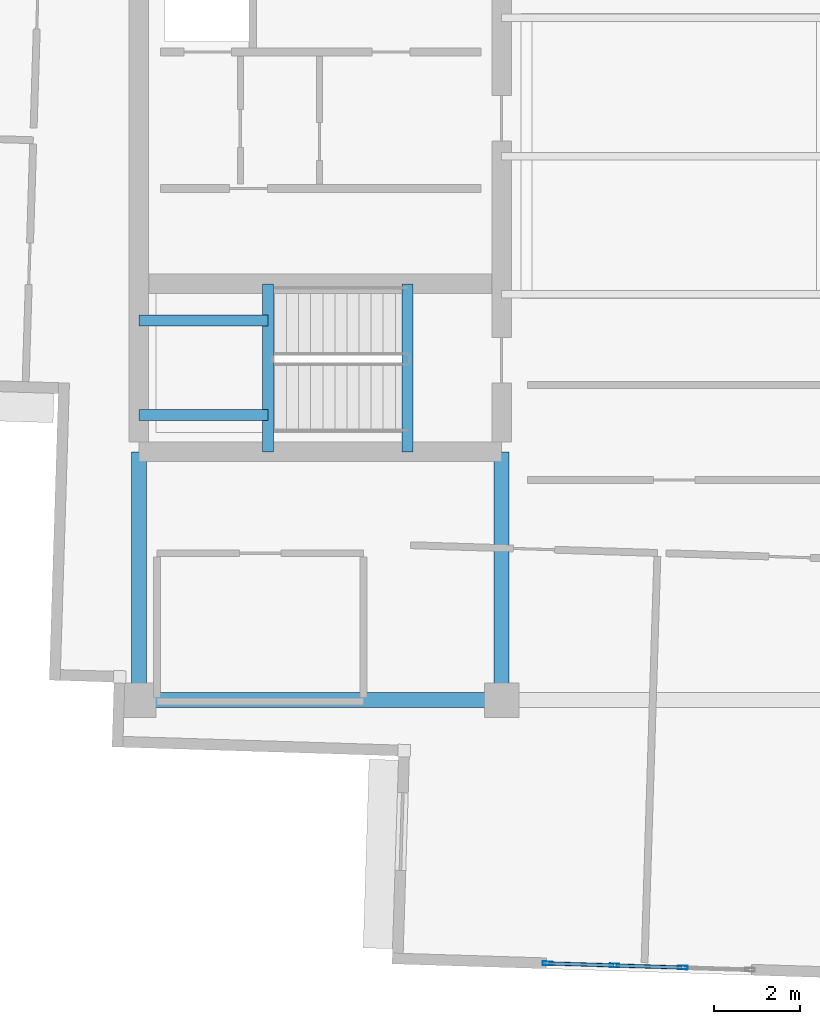
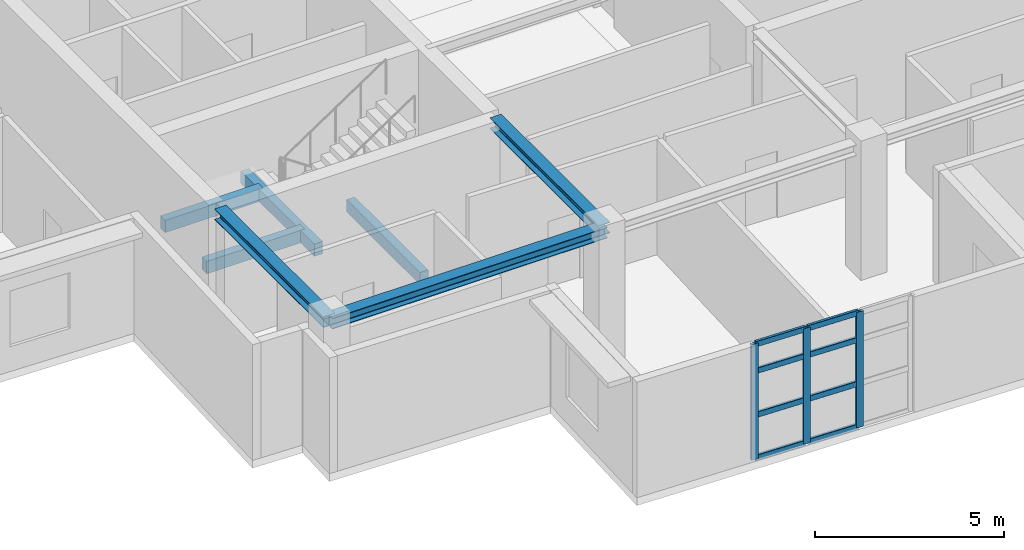
# One storey, part 2 of 14: 11 members, 7 beams, 1 element without a shape of its own.
"""IFC4 building model written with IfcOpenShell, lengths in metres."""

from ifc_helpers import new_model, si_unit, direction, frame, origin, origin_2d, place, context, subcontext, project, spatial, rectangle, hollow_rectangle, i_section, extrude, material, layer, layer_set, material_profile, profile_set, type_object, element, aggregate, save


model = new_model("IFC4")

# Units and contexts
model_context = context("Model", 3, precision=1e-05, world=origin(), true_north=direction((0.0, 1.0)))
body_context = subcontext(model_context, "Body", "Model", "MODEL_VIEW")
ifc_project = project(units=[si_unit("LENGTHUNIT", "METRE"), si_unit("AREAUNIT", "SQUARE_METRE"), si_unit("VOLUMEUNIT", "CUBIC_METRE"), si_unit("PLANEANGLEUNIT", "RADIAN"), si_unit("MASSUNIT", "GRAM", prefix="KILO")], contexts=[model_context])

# Site, building, storey
site_placement = place(None, origin())
site = spatial("IfcSite", under=ifc_project, at=site_placement, CompositionType="ELEMENT")
building_placement = place(site_placement, origin())
building = spatial("IfcBuilding", under=site, at=building_placement, Name="Qingluan Cross Belvedere", CompositionType="ELEMENT")
storey_placement = place(building_placement, frame((0.0, 0.0, 317.39990234375)))
storey = spatial("IfcBuildingStorey", under=building, at=storey_placement, Name="L78", CompositionType="ELEMENT", Elevation=317.39990234375)

# Curtain wall, members
ifc_material_1 = material(Name="Thermally broken aluminium and Low-E glass", Category="aluminium")
ifc_layer = layer(ifc_material_1, 0.219970703125, Name="ObservationCW_BelvedereDeck")
ifc_layer_set = layer_set([ifc_layer], Name="Thermally broken aluminium and Low-E glass")
curtain_wall_type = type_object("IfcCurtainWallType", Name="ObservationCW_BelvedereDeck", PredefinedType="USERDEFINED", material=ifc_layer_set)
curtain_wall_placement = place(storey_placement, origin())
curtain_wall = element("IfcCurtainWall", 1, at=curtain_wall_placement, inside=storey, type_object=curtain_wall_type, Name="ObservationCW_BelvedereDeck run env:cw:L78:S", ObjectType="OBSERVATION GLAZING WALL", PredefinedType="USERDEFINED")
ifc_material_2 = material(Name="Aluminium alloy 6063-T6", Category="aluminium")
ifc_material_profile_1 = material_profile(ifc_material_2, hollow_rectangle(XDim=0.0849609375, YDim=0.219970703125, WallThickness=0.0048828125, InnerFilletRadius=0.0048828125, OuterFilletRadius=0.010009765625, at=origin_2d()), Name="CWM220x85x5")
ifc_profile_set_1 = profile_set([ifc_material_profile_1], Name="Aluminium alloy 6063-T6")
member_type_1 = type_object("IfcMemberType", Name="CWMullion_220", PredefinedType="MULLION", material=ifc_profile_set_1)
member_1_placement = place(storey_placement, frame((-2.936767578125, -18.697021484375, 0.0), z_axis=(0.0, 0.0, 1.0), x_axis=(0.031413301117, 0.999506480476, 0.0)))
member_1 = element("IfcMember", 2, at=member_1_placement, type_object=member_type_1, Name="CW-C3 mullion 1", PredefinedType="MULLION", context=body_context, shape_type="SweptSolid", body=[
    extrude(hollow_rectangle(XDim=0.0849609375, YDim=0.219970703125, WallThickness=0.0048828125, InnerFilletRadius=0.0048828125, OuterFilletRadius=0.010009765625, at=origin_2d()), origin(), (0.0, 0.0, 1.0), 3.72998046875),
])
member_2_placement = place(storey_placement, frame((-1.382080078125, -18.745849609375, 0.0), z_axis=(0.0, 0.0, 1.0), x_axis=(0.031413301117, 0.999506480476, 0.0)))
member_2 = element("IfcMember", 3, at=member_2_placement, type_object=member_type_1, Name="CW-C3 mullion 2", PredefinedType="MULLION", context=body_context, shape_type="SweptSolid", body=[
    extrude(hollow_rectangle(XDim=0.0849609375, YDim=0.219970703125, WallThickness=0.0048828125, InnerFilletRadius=0.0048828125, OuterFilletRadius=0.010009765625, at=origin_2d()), origin(), (0.0, 0.0, 1.0), 3.72998046875),
])
member_3_placement = place(storey_placement, frame((0.202392578125, -18.795654296875, 0.0), z_axis=(0.0, 0.0, 1.0), x_axis=(0.031413301117, 0.999506480476, 0.0)))
member_3 = element("IfcMember", 4, at=member_3_placement, type_object=member_type_1, Name="CW-C3 mullion 3", PredefinedType="MULLION", context=body_context, shape_type="SweptSolid", body=[
    extrude(hollow_rectangle(XDim=0.0849609375, YDim=0.219970703125, WallThickness=0.0048828125, InnerFilletRadius=0.0048828125, OuterFilletRadius=0.010009765625, at=origin_2d()), origin(), (0.0, 0.0, 1.0), 3.72998046875),
])
ifc_material_3 = material(Name="Aluminium alloy 6063-T6", Category="aluminium")
ifc_material_profile_2 = material_profile(ifc_material_3, hollow_rectangle(XDim=0.0849609375, YDim=0.179931640625, WallThickness=0.00390625, InnerFilletRadius=0.00390625, OuterFilletRadius=0.008056640625, at=origin_2d()), Name="CWT180x85x4")
ifc_profile_set_2 = profile_set([ifc_material_profile_2], Name="Aluminium alloy 6063-T6")
member_type_2 = type_object("IfcMemberType", Name="CWTransom_180", PredefinedType="USERDEFINED", material=ifc_profile_set_2)
member_4_placement = place(storey_placement, frame((-2.90673828125, -18.697998046875, 0.030029296875), z_axis=(0.999508565572, -0.031346887388, 0.0), x_axis=(0.031346887388, 0.999508565572, 0.0)))
member_4 = element("IfcMember", 5, at=member_4_placement, type_object=member_type_2, Name="CW-C3 transom 1.1", ObjectType="TRANSOM", PredefinedType="USERDEFINED", context=body_context, shape_type="SweptSolid", body=[
    extrude(hollow_rectangle(XDim=0.0849609375, YDim=0.179931640625, WallThickness=0.00390625, InnerFilletRadius=0.00390625, OuterFilletRadius=0.008056640625, at=origin_2d()), origin(), (0.0, 0.0, 1.0), 1.495361328125),
])
member_5_placement = place(storey_placement, frame((-2.90673828125, -18.697998046875, 1.4169921875), z_axis=(0.999508565572, -0.031346887388, 0.0), x_axis=(0.031346887388, 0.999508565572, 0.0)))
member_5 = element("IfcMember", 6, at=member_5_placement, type_object=member_type_2, Name="CW-C3 transom 1.2", ObjectType="TRANSOM", PredefinedType="USERDEFINED", context=body_context, shape_type="SweptSolid", body=[
    extrude(hollow_rectangle(XDim=0.0849609375, YDim=0.179931640625, WallThickness=0.00390625, InnerFilletRadius=0.00390625, OuterFilletRadius=0.008056640625, at=origin_2d()), origin(), (0.0, 0.0, 1.0), 1.495361328125),
])
member_6_placement = place(storey_placement, frame((-2.90673828125, -18.697998046875, 2.835205078125), z_axis=(0.999508565572, -0.031346887388, 0.0), x_axis=(0.031346887388, 0.999508565572, 0.0)))
member_6 = element("IfcMember", 7, at=member_6_placement, type_object=member_type_2, Name="CW-C3 transom 1.3", ObjectType="TRANSOM", PredefinedType="USERDEFINED", context=body_context, shape_type="SweptSolid", body=[
    extrude(hollow_rectangle(XDim=0.0849609375, YDim=0.179931640625, WallThickness=0.00390625, InnerFilletRadius=0.00390625, OuterFilletRadius=0.008056640625, at=origin_2d()), origin(), (0.0, 0.0, 1.0), 1.495361328125),
])
member_7_placement = place(storey_placement, frame((-2.90673828125, -18.697998046875, 3.7001953125), z_axis=(0.999508565572, -0.031346887388, 0.0), x_axis=(0.031346887388, 0.999508565572, 0.0)))
member_7 = element("IfcMember", 8, at=member_7_placement, type_object=member_type_2, Name="CW-C3 transom 1.4", ObjectType="TRANSOM", PredefinedType="USERDEFINED", context=body_context, shape_type="SweptSolid", body=[
    extrude(hollow_rectangle(XDim=0.0849609375, YDim=0.179931640625, WallThickness=0.00390625, InnerFilletRadius=0.00390625, OuterFilletRadius=0.008056640625, at=origin_2d()), origin(), (0.0, 0.0, 1.0), 1.495361328125),
])
member_8_placement = place(storey_placement, frame((-1.352294921875, -18.746826171875, 0.030029296875), z_axis=(0.99950785105, -0.031369661938, 0.0), x_axis=(0.031369661938, 0.99950785105, 0.0)))
member_8 = element("IfcMember", 9, at=member_8_placement, type_object=member_type_2, Name="CW-C3 transom 2.1", ObjectType="TRANSOM", PredefinedType="USERDEFINED", context=body_context, shape_type="SweptSolid", body=[
    extrude(hollow_rectangle(XDim=0.0849609375, YDim=0.179931640625, WallThickness=0.00390625, InnerFilletRadius=0.00390625, OuterFilletRadius=0.008056640625, at=origin_2d()), origin(), (0.0, 0.0, 1.0), 1.525390625),
])
member_9_placement = place(storey_placement, frame((-1.352294921875, -18.746826171875, 1.4169921875), z_axis=(0.99950785105, -0.031369661938, 0.0), x_axis=(0.031369661938, 0.99950785105, 0.0)))
member_9 = element("IfcMember", 10, at=member_9_placement, type_object=member_type_2, Name="CW-C3 transom 2.2", ObjectType="TRANSOM", PredefinedType="USERDEFINED", context=body_context, shape_type="SweptSolid", body=[
    extrude(hollow_rectangle(XDim=0.0849609375, YDim=0.179931640625, WallThickness=0.00390625, InnerFilletRadius=0.00390625, OuterFilletRadius=0.008056640625, at=origin_2d()), origin(), (0.0, 0.0, 1.0), 1.525390625),
])
member_10_placement = place(storey_placement, frame((-1.352294921875, -18.746826171875, 2.835205078125), z_axis=(0.99950785105, -0.031369661938, 0.0), x_axis=(0.031369661938, 0.99950785105, 0.0)))
member_10 = element("IfcMember", 11, at=member_10_placement, type_object=member_type_2, Name="CW-C3 transom 2.3", ObjectType="TRANSOM", PredefinedType="USERDEFINED", context=body_context, shape_type="SweptSolid", body=[
    extrude(hollow_rectangle(XDim=0.0849609375, YDim=0.179931640625, WallThickness=0.00390625, InnerFilletRadius=0.00390625, OuterFilletRadius=0.008056640625, at=origin_2d()), origin(), (0.0, 0.0, 1.0), 1.525390625),
])
member_11_placement = place(storey_placement, frame((-1.352294921875, -18.746826171875, 3.7001953125), z_axis=(0.99950785105, -0.031369661938, 0.0), x_axis=(0.031369661938, 0.99950785105, 0.0)))
member_11 = element("IfcMember", 12, at=member_11_placement, type_object=member_type_2, Name="CW-C3 transom 2.4", ObjectType="TRANSOM", PredefinedType="USERDEFINED", context=body_context, shape_type="SweptSolid", body=[
    extrude(hollow_rectangle(XDim=0.0849609375, YDim=0.179931640625, WallThickness=0.00390625, InnerFilletRadius=0.00390625, OuterFilletRadius=0.008056640625, at=origin_2d()), origin(), (0.0, 0.0, 1.0), 1.525390625),
])
aggregate(curtain_wall, [member_1, member_2, member_3, member_4, member_5, member_6, member_7, member_8, member_9, member_10, member_11])

# Beams
ifc_material_4 = material(Name="Concrete C45", Category="concrete")
ifc_material_profile_3 = material_profile(ifc_material_4, rectangle(XDim=0.25, YDim=0.39990234375, at=origin_2d()), Name="RC250x400")
ifc_profile_set_3 = profile_set([ifc_material_profile_3], Name="Concrete C45")
beam_type_1 = type_object("IfcBeamType", Name="RC_Lintel_RC250x400", PredefinedType="LINTEL", material=ifc_profile_set_3)
for number, where, z_axis, x_axis, name in (
    (13, (-6.179931640625, -6.85009765625, -0.199951171875), (0.0, 1.0, 0.0), (-1.0, 0.0, 0.0), "Stair ST1 landing beam L78"),
    (14, (-9.409912109375, -6.85009765625, 1.85009765625), (0.0, 1.0, 0.0), (-1.0, 0.0, 0.0), "Stair ST1 beam A L78"),
):
    element("IfcBeam", number, at=place(storey_placement, frame(where, z_axis=z_axis, x_axis=x_axis)), inside=storey, type_object=beam_type_1, Name=name, PredefinedType="LINTEL", context=body_context, shape_type="SweptSolid", body=[
        extrude(rectangle(XDim=0.25, YDim=0.39990234375, at=origin_2d()), origin(), (0.0, 0.0, 1.0), 3.89013671875),
    ])
for number, where, z_axis, x_axis, name in (
    (15, (-12.39990234375, -6.0, 1.85009765625), (1.0, 0.0, 0.0), (0.0, 1.0, 0.0), "Stair ST1 beam B L78"),
    (16, (-12.39990234375, -3.81005859375, 1.85009765625), (1.0, 0.0, 0.0), (0.0, 1.0, 0.0), "Stair ST1 beam C L78"),
):
    element("IfcBeam", number, at=place(storey_placement, frame(where, z_axis=z_axis, x_axis=x_axis)), inside=storey, type_object=beam_type_1, Name=name, PredefinedType="LINTEL", context=body_context, shape_type="SweptSolid", body=[
        extrude(rectangle(XDim=0.25, YDim=0.39990234375, at=origin_2d()), origin(), (0.0, 0.0, 1.0), 2.989990234375),
    ])
ifc_material_5 = material(Name="Steel Q420GJB", Category="steel")
ifc_material_profile_4 = material_profile(ifc_material_5, i_section(OverallWidth=0.35009765625, OverallDepth=0.35009765625, WebThickness=0.011962890625, FlangeThickness=0.01904296875, FilletRadius=0.02001953125, at=origin_2d()), Name="HW350x350x12x19")
ifc_profile_set_4 = profile_set([ifc_material_profile_4], Name="Steel Q420GJB")
beam_type_2 = type_object("IfcBeamType", Name="Steel_Girder_HW350x350x12x19", PredefinedType="USERDEFINED", material=ifc_profile_set_4)
beam_placement = place(storey_placement, frame((-12.39990234375, -12.60009765625, 4.0751953125), z_axis=(1.0, 0.0, 0.0), x_axis=(0.0, 1.0, 0.0)))
element("IfcBeam", 17, at=beam_placement, inside=storey, type_object=beam_type_2, Name="Hub girder L78-HG-S1", ObjectType="GIRDER", PredefinedType="USERDEFINED", context=body_context, shape_type="SweptSolid", body=[
    extrude(i_section(OverallWidth=0.35009765625, OverallDepth=0.35009765625, WebThickness=0.011962890625, FlangeThickness=0.01904296875, FilletRadius=0.02001953125, at=origin_2d()), origin(), (0.0, 0.0, 1.0), 8.39990234375),
])
for number, where, z_axis, x_axis, name in (
    (18, (-12.39990234375, -12.60009765625, 4.0751953125), (0.0, 1.0, 0.0), (-1.0, 0.0, 0.0), "Hub girder L78-HG-W1"),
    (19, (-4.0, -12.60009765625, 4.0751953125), (0.0, 1.0, 0.0), (-1.0, 0.0, 0.0), "Hub girder L78-HG-CW"),
):
    element("IfcBeam", number, at=place(storey_placement, frame(where, z_axis=z_axis, x_axis=x_axis)), inside=storey, type_object=beam_type_2, Name=name, ObjectType="GIRDER", PredefinedType="USERDEFINED", context=body_context, shape_type="SweptSolid", body=[
        extrude(i_section(OverallWidth=0.35009765625, OverallDepth=0.35009765625, WebThickness=0.011962890625, FlangeThickness=0.01904296875, FilletRadius=0.02001953125, at=origin_2d()), origin(), (0.0, 0.0, 1.0), 5.75),
    ])

save(model, "model.ifc")
